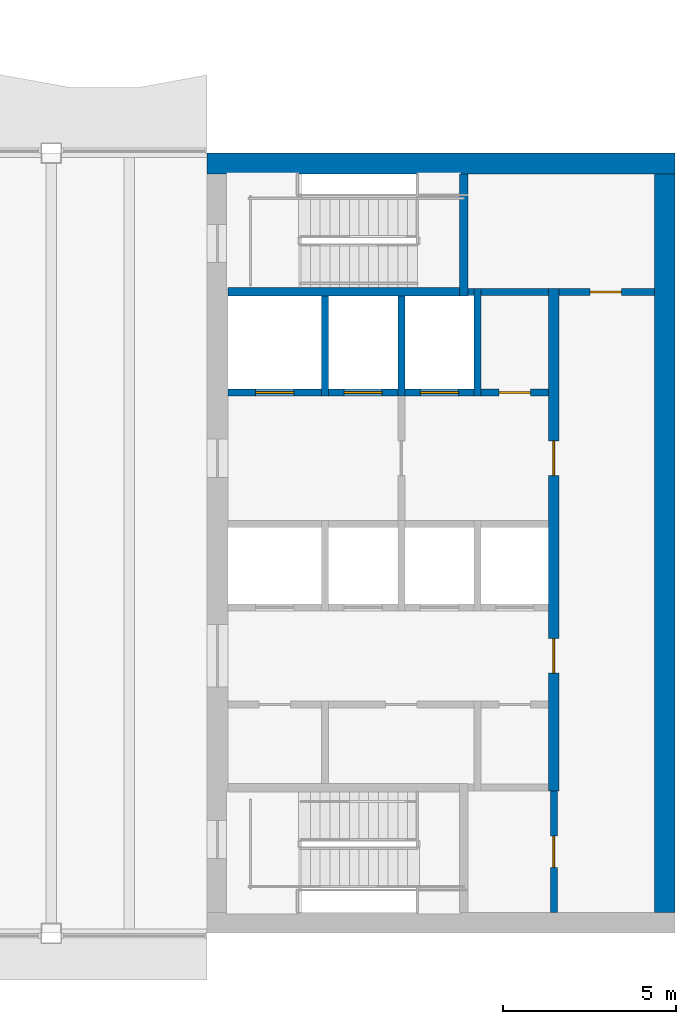
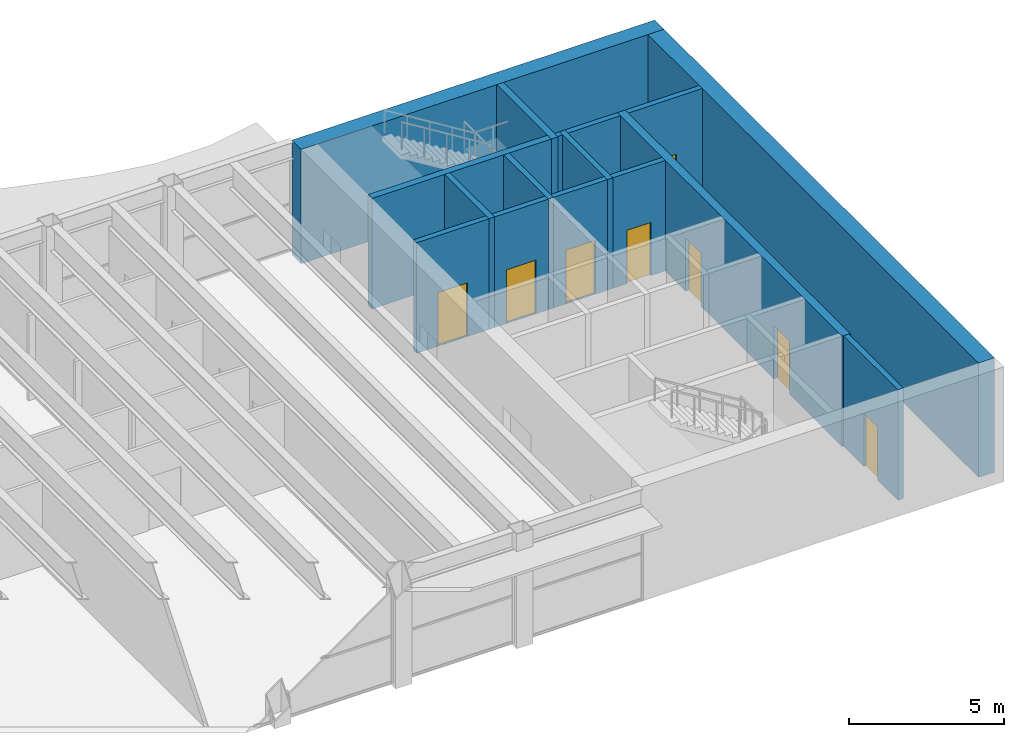
# One storey, part 11 of 15: 16 walls, 8 doors, 8 openings.
"""IFC4 building model written with IfcOpenShell, lengths in metres."""

from ifc_helpers import new_model, si_unit, direction, frame, frame_2d, origin, place, context, subcontext, project, spatial, rectangle, extrude, material, layer, layer_set, type_object, element, fill, save


model = new_model("IFC4")

# Units and contexts
model_context = context("Model", 3, precision=1e-05, world=origin(), true_north=direction((0.0, 1.0)))
body_context = subcontext(model_context, "Body", "Model", "MODEL_VIEW")
ifc_project = project(units=[si_unit("LENGTHUNIT", "METRE"), si_unit("AREAUNIT", "SQUARE_METRE"), si_unit("VOLUMEUNIT", "CUBIC_METRE"), si_unit("PLANEANGLEUNIT", "RADIAN"), si_unit("MASSUNIT", "GRAM", prefix="KILO")], contexts=[model_context])

# Site, building, storey
site_placement = place(None, origin())
site = spatial("IfcSite", under=ifc_project, at=site_placement, CompositionType="ELEMENT")
building_placement = place(site_placement, origin())
building = spatial("IfcBuilding", under=site, at=building_placement, Name="Sennacour Bend Tower", CompositionType="ELEMENT")
storey_placement = place(building_placement, frame((0.0, 0.0, 318.5)))
storey = spatial("IfcBuildingStorey", under=building, at=storey_placement, Name="L73", CompositionType="ELEMENT", Elevation=318.5)

# Walls
ifc_material_1 = material(Name="Concrete C50/60", Category="concrete")
ifc_layer_1 = layer(ifc_material_1, 0.60009765625, Name="Concrete C50/60", Category="concrete")
ifc_layer_set_1 = layer_set([ifc_layer_1], Name="Concrete C50/60")
wall_type_1 = type_object("IfcWallType", Name="Core wall 600 C50/60", PredefinedType="SHEAR", material=ifc_layer_set_1)
wall_1_placement = place(storey_placement, frame((54.0, 22.199951171875, -0.14990234375), z_axis=(0.0, 0.0, 1.0), x_axis=(1.0, 0.0, 0.0)))
element("IfcWall", 1, at=wall_1_placement, inside=storey, type_object=wall_type_1, Name="Core A wall L73 N", PredefinedType="SHEAR", context=body_context, shape_type="SweptSolid", body=[
    extrude(rectangle(XDim=13.5, YDim=0.60009765625, at=frame_2d((6.75, 0.0))), origin(), (0.0, 0.0, 1.0), 4.5),
])
wall_2_placement = place(storey_placement, frame((67.199951171875, 0.60009765625, -0.14990234375), z_axis=(0.0, 0.0, 1.0), x_axis=(0.0, 1.0, 0.0)))
element("IfcWall", 2, at=wall_2_placement, inside=storey, type_object=wall_type_1, Name="Core A wall L73 E", PredefinedType="SHEAR", context=body_context, shape_type="SweptSolid", body=[
    extrude(rectangle(XDim=21.2998046875, YDim=0.60009765625, at=frame_2d((10.64990234375, 0.0))), origin(), (0.0, 0.0, 1.0), 4.5),
])

# Wall, opening, door
ifc_material_2 = material(Name="Fire-rated plasterboard partition on steel studs", Category="steel")
ifc_layer_2 = layer(ifc_material_2, 0.199951171875, Name="Fire-rated plasterboard partition on steel studs", Category="steel")
ifc_layer_set_2 = layer_set([ifc_layer_2], Name="Fire-rated plasterboard partition on steel studs")
wall_type_2 = type_object("IfcWallType", Name="Rated partition 200", PredefinedType="PARTITIONING", material=ifc_layer_set_2)
wall_3_placement = place(storey_placement, frame((64.0, 0.60009765625, 0.0), z_axis=(0.0, 0.0, 1.0), x_axis=(0.0, 1.0, 0.0)))
wall_3 = element("IfcWall", 3, at=wall_3_placement, inside=storey, type_object=wall_type_2, Name="P-L73-W025", PredefinedType="PARTITIONING", context=body_context, shape_type="SweptSolid", body=[
    extrude(rectangle(XDim=3.5, YDim=0.199951171875, at=frame_2d((1.75, 0.0))), origin(), (0.0, 0.0, 1.0), 4.35009765625),
])
opening_1_placement = place(wall_3_placement, frame((1.2998046875, 0.0, 0.0)))
opening_1 = element("IfcOpeningElement", 4, at=opening_1_placement, cuts=wall_3, Name="Opening SV", PredefinedType="OPENING", context=body_context, shape_type="SweptSolid", body=[
    extrude(rectangle(XDim=0.89990234375, YDim=2.10009765625, at=frame_2d((0.449951171875, 1.050048828125))), frame((0.0, 0.10986328125, 0.0), z_axis=(0.0, -1.0, 0.0), x_axis=(1.0, 0.0, 0.0)), (0.0, 0.0, 1.0), 0.219970703125),
])
ifc_material_3 = material(Name="Painted steel", Category="steel")
door_type_1 = type_object("IfcDoorType", Name="DR-SERVICE-900", OperationType="NOTDEFINED", PredefinedType="DOOR", material=ifc_material_3)
door_1_placement = place(opening_1_placement, origin())
door_1 = element("IfcDoor", 5, at=door_1_placement, inside=storey, type_object=door_type_1, Name="Door", OperationType="SINGLE_SWING_LEFT", OverallHeight=2.10009765625, OverallWidth=0.89990234375, PredefinedType="DOOR", context=body_context, shape_type="SweptSolid", body=[
    extrude(rectangle(XDim=0.89990234375, YDim=2.10009765625, at=frame_2d((0.449951171875, 1.050048828125))), frame((0.0, 0.02490234375, 0.0), z_axis=(0.0, -1.0, 0.0), x_axis=(1.0, 0.0, 0.0)), (0.0, 0.0, 1.0), 0.050048828125),
])
fill(opening_1, door_1)

wall_4_placement = place(storey_placement, frame((61.89990234375, 15.60009765625, 0.0), z_axis=(0.0, 0.0, 1.0), x_axis=(1.0, 0.0, 0.0)))
wall_4 = element("IfcWall", 6, at=wall_4_placement, inside=storey, type_object=wall_type_2, Name="P-L73-W040", PredefinedType="PARTITIONING", context=body_context, shape_type="SweptSolid", body=[
    extrude(rectangle(XDim=1.9501953125, YDim=0.199951171875, at=frame_2d((0.97509765625, 0.0))), origin(), (0.0, 0.0, 1.0), 4.35009765625),
])
opening_2_placement = place(wall_4_placement, frame((0.525146484375, 0.0, 0.0)))
opening_2 = element("IfcOpeningElement", 7, at=opening_2_placement, cuts=wall_4, Name="Opening SV", PredefinedType="OPENING", context=body_context, shape_type="SweptSolid", body=[
    extrude(rectangle(XDim=0.89990234375, YDim=2.10009765625, at=frame_2d((0.449951171875, 1.050048828125))), frame((0.0, 0.10986328125, 0.0), z_axis=(0.0, -1.0, 0.0), x_axis=(1.0, 0.0, 0.0)), (0.0, 0.0, 1.0), 0.219970703125),
])
door_2_placement = place(opening_2_placement, origin())
door_2 = element("IfcDoor", 8, at=door_2_placement, inside=storey, type_object=door_type_1, Name="Door", OperationType="SINGLE_SWING_RIGHT", OverallHeight=2.10009765625, OverallWidth=0.89990234375, PredefinedType="DOOR", context=body_context, shape_type="SweptSolid", body=[
    extrude(rectangle(XDim=0.89990234375, YDim=2.10009765625, at=frame_2d((0.449951171875, 1.050048828125))), frame((0.0, 0.02490234375, 0.0), z_axis=(0.0, -1.0, 0.0), x_axis=(1.0, 0.0, 0.0)), (0.0, 0.0, 1.0), 0.050048828125),
])
fill(opening_2, door_2)

# Wall
wall_5_placement = place(storey_placement, frame((61.89990234375, 18.5, 0.0), z_axis=(0.0, 0.0, 1.0), x_axis=(1.0, 0.0, 0.0)))
element("IfcWall", 9, at=wall_5_placement, inside=storey, type_object=wall_type_2, Name="P-L73-W044a", PredefinedType="PARTITIONING", context=body_context, shape_type="SweptSolid", body=[
    extrude(rectangle(XDim=1.9501953125, YDim=0.199951171875, at=frame_2d((0.97509765625, 0.0))), origin(), (0.0, 0.0, 1.0), 4.35009765625),
])

# Wall, opening, door
wall_6_placement = place(storey_placement, frame((64.14990234375, 18.5, 0.0), z_axis=(0.0, 0.0, 1.0), x_axis=(1.0, 0.0, 0.0)))
wall_6 = element("IfcWall", 10, at=wall_6_placement, inside=storey, type_object=wall_type_2, Name="P-L73-W044b", PredefinedType="PARTITIONING", context=body_context, shape_type="SweptSolid", body=[
    extrude(rectangle(XDim=2.75, YDim=0.199951171875, at=frame_2d((1.375, 0.0))), origin(), (0.0, 0.0, 1.0), 4.35009765625),
])
opening_3_placement = place(wall_6_placement, frame((0.900146484375, 0.0, 0.0)))
opening_3 = element("IfcOpeningElement", 11, at=opening_3_placement, cuts=wall_6, Name="Opening SV", PredefinedType="OPENING", context=body_context, shape_type="SweptSolid", body=[
    extrude(rectangle(XDim=0.89990234375, YDim=2.10009765625, at=frame_2d((0.449951171875, 1.050048828125))), frame((0.0, 0.10986328125, 0.0), z_axis=(0.0, -1.0, 0.0), x_axis=(1.0, 0.0, 0.0)), (0.0, 0.0, 1.0), 0.219970703125),
])
door_3_placement = place(opening_3_placement, origin())
door_3 = element("IfcDoor", 12, at=door_3_placement, inside=storey, type_object=door_type_1, Name="Door", OperationType="SINGLE_SWING_LEFT", OverallHeight=2.10009765625, OverallWidth=0.89990234375, PredefinedType="DOOR", context=body_context, shape_type="SweptSolid", body=[
    extrude(rectangle(XDim=0.89990234375, YDim=2.10009765625, at=frame_2d((0.449951171875, 1.050048828125))), frame((0.0, 0.02490234375, 0.0), z_axis=(0.0, -1.0, 0.0), x_axis=(1.0, 0.0, 0.0)), (0.0, 0.0, 1.0), 0.050048828125),
])
fill(opening_3, door_3)

# Walls
ifc_layer_3 = layer(ifc_material_1, 0.199951171875, Name="Concrete C50/60", Category="concrete")
ifc_layer_set_3 = layer_set([ifc_layer_3], Name="Concrete C50/60")
wall_type_3 = type_object("IfcWallType", Name="Shaft wall 200", PredefinedType="SOLIDWALL", material=ifc_layer_set_3)
for number, where, z_axis, x_axis, name in (
    (13, (57.39990234375, 15.5, 0.0), (0.0, 0.0, 1.0), (0.0, 1.0, 0.0), "P-L73-W016"),
    (14, (59.60009765625, 15.5, 0.0), (0.0, 0.0, 1.0), (0.0, 1.0, 0.0), "P-L73-W019"),
):
    element("IfcWall", number, at=place(storey_placement, frame(where, z_axis=z_axis, x_axis=x_axis)), inside=storey, type_object=wall_type_3, Name=name, PredefinedType="SOLIDWALL", context=body_context, shape_type="SweptSolid", body=[
        extrude(rectangle(XDim=2.875, YDim=0.199951171875, at=frame_2d((1.4375, 0.0))), origin(), (0.0, 0.0, 1.0), 4.35009765625),
    ])
wall_7_placement = place(storey_placement, frame((61.800048828125, 15.5, 0.0), z_axis=(0.0, 0.0, 1.0), x_axis=(0.0, 1.0, 0.0)))
element("IfcWall", 15, at=wall_7_placement, inside=storey, type_object=wall_type_3, Name="P-L73-W024", PredefinedType="SOLIDWALL", context=body_context, shape_type="SweptSolid", body=[
    extrude(rectangle(XDim=3.10009765625, YDim=0.199951171875, at=frame_2d((1.550048828125, 0.0))), origin(), (0.0, 0.0, 1.0), 4.35009765625),
])

# Wall, opening, door
wall_8_placement = place(storey_placement, frame((54.60009765625, 15.60009765625, 0.0), z_axis=(0.0, 0.0, 1.0), x_axis=(1.0, 0.0, 0.0)))
wall_8 = element("IfcWall", 16, at=wall_8_placement, inside=storey, type_object=wall_type_3, Name="P-L73-W039a", PredefinedType="SOLIDWALL", context=body_context, shape_type="SweptSolid", body=[
    extrude(rectangle(XDim=2.699951171875, YDim=0.199951171875, at=frame_2d((1.35009765625, 0.0))), origin(), (0.0, 0.0, 1.0), 4.35009765625),
])
opening_4_placement = place(wall_8_placement, frame((0.7998046875, 0.0, 0.011962890625)))
opening_4 = element("IfcOpeningElement", 17, at=opening_4_placement, cuts=wall_8, Name="Opening FLD", PredefinedType="OPENING", context=body_context, shape_type="SweptSolid", body=[
    extrude(rectangle(XDim=1.10009765625, YDim=2.10009765625, at=frame_2d((0.550048828125, 1.050048828125))), frame((0.0, 0.10986328125, 0.0), z_axis=(0.0, -1.0, 0.0), x_axis=(1.0, 0.0, 0.0)), (0.0, 0.0, 1.0), 0.219970703125),
])
ifc_material_4 = material(Name="Stainless steel", Category="steel")
door_type_2 = type_object("IfcDoorType", Name="DR-FF-LANDING-1100", OperationType="NOTDEFINED", PredefinedType="DOOR", material=ifc_material_4)
door_4_placement = place(opening_4_placement, origin())
door_4 = element("IfcDoor", 18, at=door_4_placement, inside=storey, type_object=door_type_2, Name="Fire service lift landing door FA1", OperationType="SLIDING_TO_LEFT", OverallHeight=2.10009765625, OverallWidth=1.10009765625, PredefinedType="DOOR", context=body_context, shape_type="SweptSolid", body=[
    extrude(rectangle(XDim=1.10009765625, YDim=2.10009765625, at=frame_2d((0.550048828125, 1.050048828125))), frame((0.0, 0.02490234375, 0.0), z_axis=(0.0, -1.0, 0.0), x_axis=(1.0, 0.0, 0.0)), (0.0, 0.0, 1.0), 0.050048828125),
])
fill(opening_4, door_4)

wall_9_placement = place(storey_placement, frame((57.5, 15.60009765625, 0.0), z_axis=(0.0, 0.0, 1.0), x_axis=(1.0, 0.0, 0.0)))
wall_9 = element("IfcWall", 19, at=wall_9_placement, inside=storey, type_object=wall_type_3, Name="P-L73-W039b", PredefinedType="SOLIDWALL", context=body_context, shape_type="SweptSolid", body=[
    extrude(rectangle(XDim=2.0, YDim=0.199951171875, at=frame_2d((1.0, 0.0))), origin(), (0.0, 0.0, 1.0), 4.35009765625),
])
opening_5_placement = place(wall_9_placement, frame((0.449951171875, 0.0, 0.011962890625)))
opening_5 = element("IfcOpeningElement", 20, at=opening_5_placement, cuts=wall_9, Name="Opening FLD", PredefinedType="OPENING", context=body_context, shape_type="SweptSolid", body=[
    extrude(rectangle(XDim=1.10009765625, YDim=2.10009765625, at=frame_2d((0.550048828125, 1.050048828125))), frame((0.0, 0.10986328125, 0.0), z_axis=(0.0, -1.0, 0.0), x_axis=(1.0, 0.0, 0.0)), (0.0, 0.0, 1.0), 0.219970703125),
])
door_5_placement = place(opening_5_placement, origin())
door_5 = element("IfcDoor", 21, at=door_5_placement, inside=storey, type_object=door_type_2, Name="Fire service lift landing door FA2", OperationType="SLIDING_TO_RIGHT", OverallHeight=2.10009765625, OverallWidth=1.10009765625, PredefinedType="DOOR", context=body_context, shape_type="SweptSolid", body=[
    extrude(rectangle(XDim=1.10009765625, YDim=2.10009765625, at=frame_2d((0.550048828125, 1.050048828125))), frame((0.0, 0.02490234375, 0.0), z_axis=(0.0, -1.0, 0.0), x_axis=(1.0, 0.0, 0.0)), (0.0, 0.0, 1.0), 0.050048828125),
])
fill(opening_5, door_5)

wall_10_placement = place(storey_placement, frame((59.699951171875, 15.60009765625, 0.0), z_axis=(0.0, 0.0, 1.0), x_axis=(1.0, 0.0, 0.0)))
wall_10 = element("IfcWall", 22, at=wall_10_placement, inside=storey, type_object=wall_type_3, Name="P-L73-W039c", PredefinedType="SOLIDWALL", context=body_context, shape_type="SweptSolid", body=[
    extrude(rectangle(XDim=2.0, YDim=0.199951171875, at=frame_2d((1.0, 0.0))), origin(), (0.0, 0.0, 1.0), 4.35009765625),
])
opening_6_placement = place(wall_10_placement, frame((0.449951171875, 0.0, 0.011962890625)))
opening_6 = element("IfcOpeningElement", 23, at=opening_6_placement, cuts=wall_10, Name="Opening LD", PredefinedType="OPENING", context=body_context, shape_type="SweptSolid", body=[
    extrude(rectangle(XDim=1.10009765625, YDim=2.10009765625, at=frame_2d((0.550048828125, 1.050048828125))), frame((0.0, 0.10986328125, 0.0), z_axis=(0.0, -1.0, 0.0), x_axis=(1.0, 0.0, 0.0)), (0.0, 0.0, 1.0), 0.219970703125),
])
door_type_3 = type_object("IfcDoorType", Name="DR-LANDING-1100", OperationType="NOTDEFINED", PredefinedType="DOOR", material=ifc_material_4)
door_6_placement = place(opening_6_placement, origin())
door_6 = element("IfcDoor", 24, at=door_6_placement, inside=storey, type_object=door_type_3, Name="Lift landing door HA5", OperationType="SLIDING_TO_LEFT", OverallHeight=2.10009765625, OverallWidth=1.10009765625, PredefinedType="DOOR", context=body_context, shape_type="SweptSolid", body=[
    extrude(rectangle(XDim=1.10009765625, YDim=2.10009765625, at=frame_2d((0.550048828125, 1.050048828125))), frame((0.0, 0.02490234375, 0.0), z_axis=(0.0, -1.0, 0.0), x_axis=(1.0, 0.0, 0.0)), (0.0, 0.0, 1.0), 0.050048828125),
])
fill(opening_6, door_6)

# Wall
wall_11_placement = place(storey_placement, frame((61.52490234375, 18.5, 0.0), z_axis=(0.0, 0.0, 1.0), x_axis=(1.0, 0.0, 0.0)))
element("IfcWall", 25, at=wall_11_placement, inside=storey, type_object=wall_type_3, Name="P-L73-W043", PredefinedType="SOLIDWALL", context=body_context, shape_type="SweptSolid", body=[
    extrude(rectangle(XDim=0.175048828125, YDim=0.199951171875, at=frame_2d((0.08740234375, 0.0))), origin(), (0.0, 0.0, 1.0), 4.35009765625),
])

# Wall, openings, doors
ifc_material_5 = material(Name="Concrete C60/75", Category="concrete")
ifc_layer_4 = layer(ifc_material_5, 0.300048828125, Name="Concrete C60/75", Category="concrete")
ifc_layer_set_4 = layer_set([ifc_layer_4], Name="Concrete C60/75")
wall_type_4 = type_object("IfcWallType", Name="Spine wall 300", PredefinedType="SHEAR", material=ifc_layer_set_4)
wall_12_placement = place(storey_placement, frame((64.0, 4.10009765625, 0.0), z_axis=(0.0, 0.0, 1.0), x_axis=(0.0, 1.0, 0.0)))
wall_12 = element("IfcWall", 26, at=wall_12_placement, inside=storey, type_object=wall_type_4, Name="P-L73-W026", PredefinedType="SHEAR", context=body_context, shape_type="SweptSolid", body=[
    extrude(rectangle(XDim=14.5, YDim=0.300048828125, at=frame_2d((7.25, 0.0))), origin(), (0.0, 0.0, 1.0), 4.35009765625),
])
opening_7_placement = place(wall_12_placement, frame((3.39990234375, 0.0, 0.0)))
opening_7 = element("IfcOpeningElement", 27, at=opening_7_placement, cuts=wall_12, Name="Opening CD2", PredefinedType="OPENING", context=body_context, shape_type="SweptSolid", body=[
    extrude(rectangle(XDim=1.0, YDim=2.10009765625, at=frame_2d((0.5, 1.050048828125))), frame((0.0, 0.16015625, 0.0), z_axis=(0.0, -1.0, 0.0), x_axis=(1.0, 0.0, 0.0)), (0.0, 0.0, 1.0), 0.320068359375),
])
opening_8_placement = place(wall_12_placement, frame((9.099853515625, 0.0, 0.0)))
opening_8 = element("IfcOpeningElement", 28, at=opening_8_placement, cuts=wall_12, Name="Opening CD2", PredefinedType="OPENING", context=body_context, shape_type="SweptSolid", body=[
    extrude(rectangle(XDim=1.0, YDim=2.10009765625, at=frame_2d((0.5, 1.050048828125))), frame((0.0, 0.16015625, 0.0), z_axis=(0.0, -1.0, 0.0), x_axis=(1.0, 0.0, 0.0)), (0.0, 0.0, 1.0), 0.320068359375),
])
door_type_4 = type_object("IfcDoorType", Name="DR-LOBBY-1000", OperationType="NOTDEFINED", PredefinedType="DOOR", material=ifc_material_3)
door_7_placement = place(opening_7_placement, origin())
door_7 = element("IfcDoor", 29, at=door_7_placement, inside=storey, type_object=door_type_4, Name="Door", OperationType="SINGLE_SWING_LEFT", OverallHeight=2.10009765625, OverallWidth=1.0, PredefinedType="DOOR", context=body_context, shape_type="SweptSolid", body=[
    extrude(rectangle(XDim=1.0, YDim=2.10009765625, at=frame_2d((0.5, 1.050048828125))), frame((0.0, 0.02490234375, 0.0), z_axis=(0.0, -1.0, 0.0), x_axis=(1.0, 0.0, 0.0)), (0.0, 0.0, 1.0), 0.050048828125),
])
fill(opening_7, door_7)
door_8_placement = place(opening_8_placement, origin())
door_8 = element("IfcDoor", 30, at=door_8_placement, inside=storey, type_object=door_type_4, Name="Door", OperationType="SINGLE_SWING_RIGHT", OverallHeight=2.10009765625, OverallWidth=1.0, PredefinedType="DOOR", context=body_context, shape_type="SweptSolid", body=[
    extrude(rectangle(XDim=1.0, YDim=2.10009765625, at=frame_2d((0.5, 1.050048828125))), frame((0.0, 0.02490234375, 0.0), z_axis=(0.0, -1.0, 0.0), x_axis=(1.0, 0.0, 0.0)), (0.0, 0.0, 1.0), 0.050048828125),
])
fill(opening_8, door_8)

# Walls
ifc_layer_5 = layer(ifc_material_5, 0.25, Name="Concrete C60/75", Category="concrete")
ifc_layer_set_5 = layer_set([ifc_layer_5], Name="Concrete C60/75")
wall_type_5 = type_object("IfcWallType", Name="Stair wall 250", PredefinedType="SHEAR", material=ifc_layer_set_5)
wall_13_placement = place(storey_placement, frame((61.39990234375, 18.375, 0.0), z_axis=(0.0, 0.0, 1.0), x_axis=(0.0, 1.0, 0.0)))
element("IfcWall", 31, at=wall_13_placement, inside=storey, type_object=wall_type_5, Name="P-L73-W021", PredefinedType="SHEAR", context=body_context, shape_type="SweptSolid", body=[
    extrude(rectangle(XDim=3.52490234375, YDim=0.25, at=frame_2d((1.762451171875, 0.0))), origin(), (0.0, 0.0, 1.0), 4.35009765625),
])
wall_14_placement = place(storey_placement, frame((54.60009765625, 18.5, 0.0), z_axis=(0.0, 0.0, 1.0), x_axis=(1.0, 0.0, 0.0)))
element("IfcWall", 32, at=wall_14_placement, inside=storey, type_object=wall_type_5, Name="P-L73-W042", PredefinedType="SHEAR", context=body_context, shape_type="SweptSolid", body=[
    extrude(rectangle(XDim=6.6748046875, YDim=0.25, at=frame_2d((3.33740234375, 0.0))), origin(), (0.0, 0.0, 1.0), 4.35009765625),
])

save(model, "model.ifc")
